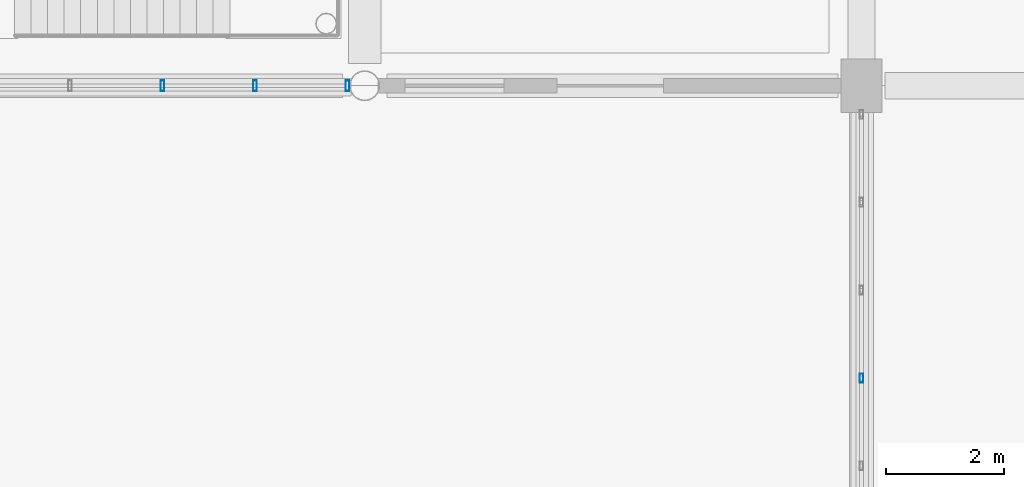
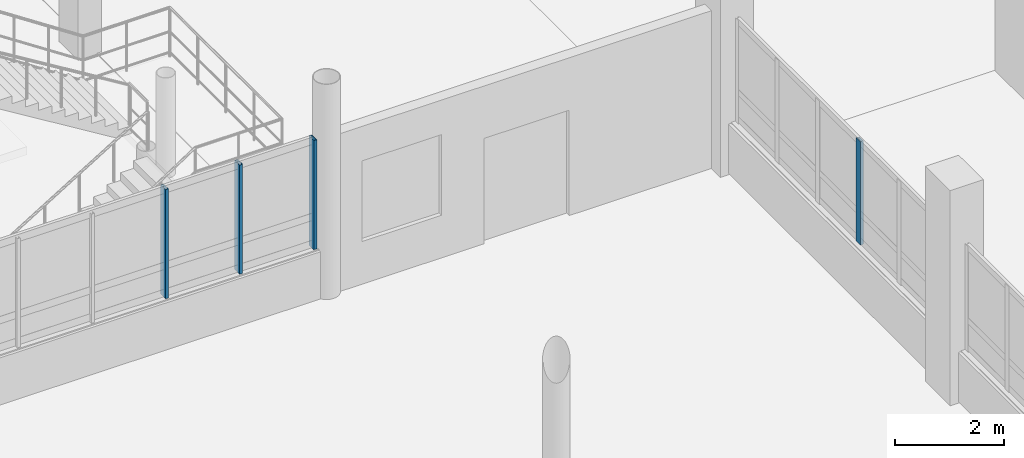
# One storey, part 49 of 95: 4 members, 2 elements without a shape of their own.
"""IFC4 building model written with IfcOpenShell, lengths in metres."""

from ifc_helpers import new_model, si_unit, direction, frame, origin, origin_2d, place, context, subcontext, project, spatial, hollow_rectangle, extrude, material, layer, layer_set, material_profile, profile_set, type_object, element, aggregate, save


model = new_model("IFC4")

# Units and contexts
model_context = context("Model", 3, precision=1e-05, world=origin(), true_north=direction((0.0, 1.0)))
body_context = subcontext(model_context, "Body", "Model", "MODEL_VIEW")
ifc_project = project(units=[si_unit("LENGTHUNIT", "METRE"), si_unit("AREAUNIT", "SQUARE_METRE"), si_unit("VOLUMEUNIT", "CUBIC_METRE"), si_unit("PLANEANGLEUNIT", "RADIAN"), si_unit("MASSUNIT", "GRAM", prefix="KILO")], contexts=[model_context])

# Site, building, storey
site_placement = place(None, origin())
site = spatial("IfcSite", under=ifc_project, at=site_placement, CompositionType="ELEMENT")
building_placement = place(site_placement, origin())
building = spatial("IfcBuilding", under=site, at=building_placement, Name="Vireocrest Preparatory School", CompositionType="ELEMENT")
storey_placement = place(building_placement, origin())
storey = spatial("IfcBuildingStorey", under=building, at=storey_placement, Name="L00", CompositionType="ELEMENT", Elevation=0.0)

# Curtain wall, member
ifc_material = material(Name="Thermally broken aluminium EN AW-6063-T6", Category="aluminium")
ifc_layer_1 = layer(ifc_material, 0.179931640625)
ifc_layer_set_1 = layer_set([ifc_layer_1], Name="Thermally broken aluminium EN AW-6063-T6")
curtain_wall_type_1 = type_object("IfcCurtainWallType", Name="Court Banded Curtain Wall 8400x3600", PredefinedType="USERDEFINED", material=ifc_layer_set_1)
curtain_wall_1_placement = place(storey_placement, origin())
curtain_wall_1 = element("IfcCurtainWall", 1, at=curtain_wall_1_placement, inside=storey, type_object=curtain_wall_type_1, Name="Curtain Wall CW01 CW_L00_CW01_0924_0778_012", ObjectType="CURTAIN WALL", PredefinedType="USERDEFINED")
ifc_material_profile_1 = material_profile(ifc_material, hollow_rectangle(XDim=0.06494140625, YDim=0.14990234375, WallThickness=0.00390625, at=origin_2d()), Name="ALU 65x150x4")
ifc_profile_set_1 = profile_set([ifc_material_profile_1], Name="Thermally broken aluminium EN AW-6063-T6")
member_type_1 = type_object("IfcMemberType", Name="CW Mullion 65x150x4", PredefinedType="MULLION", material=ifc_profile_set_1)
member_1_placement = place(storey_placement, frame((92.39990234375, 80.85693359375, 1.14990234375), z_axis=(0.0, 0.0, 1.0), x_axis=(1.0, 0.0, 0.0)))
member_1 = element("IfcMember", 2, at=member_1_placement, type_object=member_type_1, Name="CW Mullion ML1 CW_L00_CW01_0924_0778_012-3", PredefinedType="MULLION", context=body_context, shape_type="SweptSolid", body=[
    extrude(hollow_rectangle(XDim=0.06494140625, YDim=0.14990234375, WallThickness=0.00390625, at=origin_2d()), origin(), (0.0, 0.0, 1.0), 2.30517578125),
])
aggregate(curtain_wall_1, [member_1])

# Curtain wall, members
ifc_layer_2 = layer(ifc_material, 0.179931640625)
ifc_layer_set_2 = layer_set([ifc_layer_2], Name="Thermally broken aluminium EN AW-6063-T6")
curtain_wall_type_2 = type_object("IfcCurtainWallType", Name="Winter-Garden Curtain Wall 8400x6400", PredefinedType="USERDEFINED", material=ifc_layer_set_2)
curtain_wall_2_placement = place(storey_placement, origin())
curtain_wall_2 = element("IfcCurtainWall", 3, at=curtain_wall_2_placement, inside=storey, type_object=curtain_wall_type_2, Name="Curtain Wall CW06 CW_L00_CW06_0758_0858_011", ObjectType="CURTAIN WALL", PredefinedType="USERDEFINED")
ifc_material_profile_2 = material_profile(ifc_material, hollow_rectangle(XDim=0.06494140625, YDim=0.179931640625, WallThickness=0.00390625, at=origin_2d()), Name="ALU 65x180x4")
ifc_profile_set_2 = profile_set([ifc_material_profile_2], Name="Thermally broken aluminium EN AW-6063-T6")
member_type_2 = type_object("IfcMemberType", Name="CW Mullion 65x180x4", PredefinedType="MULLION", material=ifc_profile_set_2)
member_2_placement = place(storey_placement, frame((80.582275390625, 85.800048828125, 1.10009765625), z_axis=(0.0, 0.0, 1.0), x_axis=(1.0, 0.0, 0.0)))
member_2 = element("IfcMember", 4, at=member_2_placement, type_object=member_type_2, Name="CW Mullion ML2 CW_L00_CW06_0758_0858_011-4", PredefinedType="MULLION", context=body_context, shape_type="SweptSolid", body=[
    extrude(hollow_rectangle(XDim=0.06494140625, YDim=0.179931640625, WallThickness=0.00390625, at=origin_2d()), origin(), (0.0, 0.0, 1.0), 2.434814453125),
])
member_3_placement = place(storey_placement, frame((82.146484375, 85.800048828125, 1.10009765625), z_axis=(0.0, 0.0, 1.0), x_axis=(1.0, 0.0, 0.0)))
member_3 = element("IfcMember", 5, at=member_3_placement, type_object=member_type_2, Name="CW Mullion ML2 CW_L00_CW06_0758_0858_011-5", PredefinedType="MULLION", context=body_context, shape_type="SweptSolid", body=[
    extrude(hollow_rectangle(XDim=0.06494140625, YDim=0.179931640625, WallThickness=0.00390625, at=origin_2d()), origin(), (0.0, 0.0, 1.0), 2.434814453125),
])
member_4_placement = place(storey_placement, frame((83.7109375, 85.800048828125, 1.10009765625), z_axis=(0.0, 0.0, 1.0), x_axis=(1.0, 0.0, 0.0)))
member_4 = element("IfcMember", 6, at=member_4_placement, type_object=member_type_2, Name="CW Mullion ML2 CW_L00_CW06_0758_0858_011-6", PredefinedType="MULLION", context=body_context, shape_type="SweptSolid", body=[
    extrude(hollow_rectangle(XDim=0.06494140625, YDim=0.179931640625, WallThickness=0.00390625, at=origin_2d()), origin(), (0.0, 0.0, 1.0), 2.434814453125),
])
aggregate(curtain_wall_2, [member_2, member_3, member_4])

save(model, "model.ifc")
